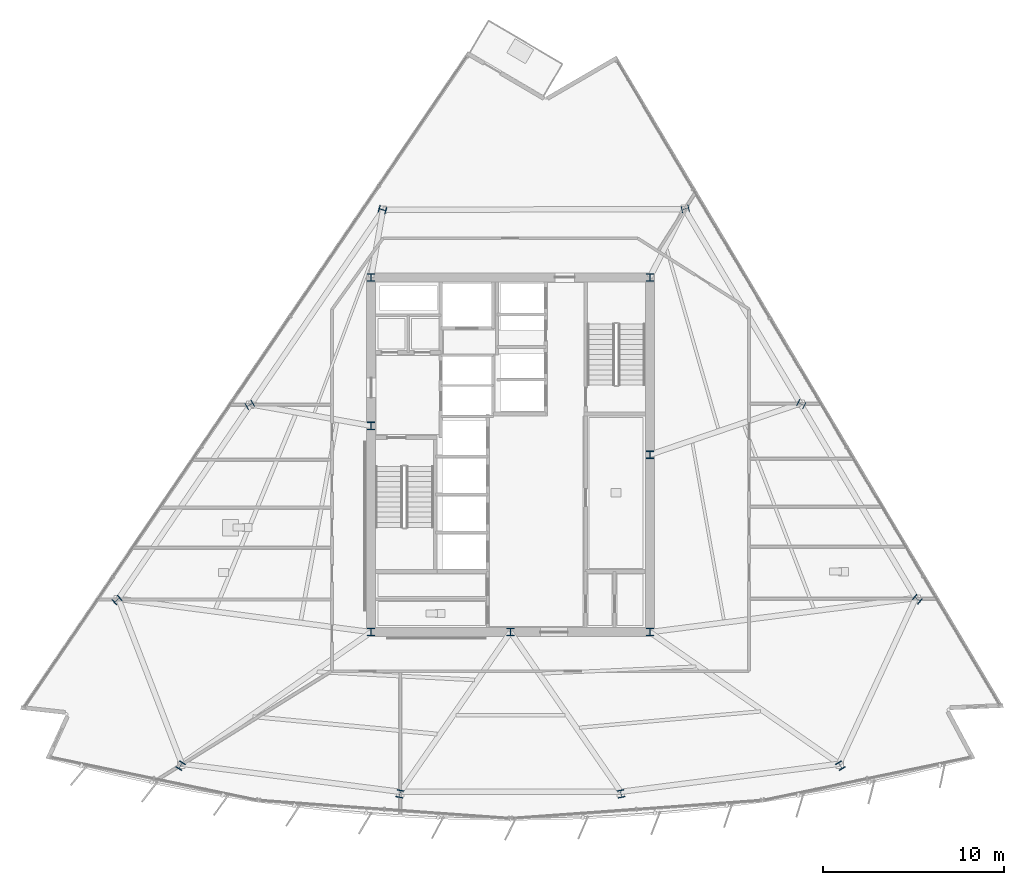
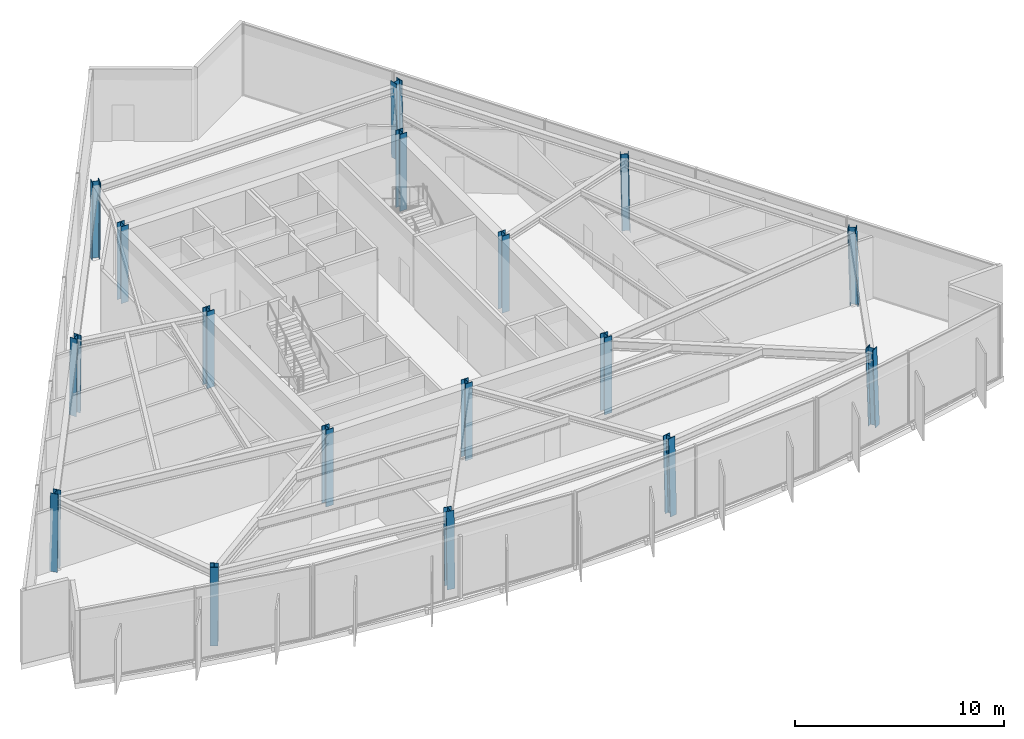
# One storey, part 1 of 14: 17 columns.
"""IFC4 building model written with IfcOpenShell, lengths in metres."""

from ifc_helpers import new_model, si_unit, direction, frame, origin, origin_2d, place, context, subcontext, project, spatial, i_section, extrude, material, material_profile, profile_set, type_object, element, save


model = new_model("IFC4")

# Units and contexts
model_context = context("Model", 3, precision=1e-05, world=origin(), true_north=direction((0.0, 1.0)))
body_context = subcontext(model_context, "Body", "Model", "MODEL_VIEW")
ifc_project = project(units=[si_unit("LENGTHUNIT", "METRE"), si_unit("AREAUNIT", "SQUARE_METRE"), si_unit("VOLUMEUNIT", "CUBIC_METRE"), si_unit("PLANEANGLEUNIT", "RADIAN"), si_unit("MASSUNIT", "GRAM", prefix="KILO")], contexts=[model_context])

# Site, building, storey
site_placement = place(None, origin())
site = spatial("IfcSite", under=ifc_project, at=site_placement, CompositionType="ELEMENT")
building_placement = place(site_placement, origin())
building = spatial("IfcBuilding", under=site, at=building_placement, Name="Savorim Split Tower", CompositionType="ELEMENT")
storey_placement = place(building_placement, frame((0.0, 0.0, 134.10009765625)))
storey = spatial("IfcBuildingStorey", under=building, at=storey_placement, Name="L35", CompositionType="ELEMENT", Elevation=134.10009765625)

# Columns
ifc_material = material(Name="Steel S460", Category="steel")
ifc_material_profile_1 = material_profile(ifc_material, i_section(OverallWidth=0.404052734375, OverallDepth=0.406982421875, WebThickness=0.017333984375, FlangeThickness=0.028076171875, FilletRadius=0.014892578125, at=origin_2d()), Name="HD 400x347")
ifc_profile_set_1 = profile_set([ifc_material_profile_1], Name="Steel S460")
column_type_1 = type_object("IfcColumnType", Name="COL-HD-347", PredefinedType="COLUMN", material=ifc_profile_set_1)
column_1_placement = place(storey_placement, frame((-18.23095703125, -16.792236328125, 0.00537109375), z_axis=(0.016470903178, 0.026744832884, 0.999506589904), x_axis=(-0.851480003019, 0.52438707503, 0.0)))
element("IfcColumn", 1, at=column_1_placement, inside=storey, type_object=column_type_1, Name="L35 Tapered Perimeter Column PC-S1", PredefinedType="COLUMN", context=body_context, shape_type="SweptSolid", body=[
    extrude(i_section(OverallWidth=0.404052734375, OverallDepth=0.406982421875, WebThickness=0.017333984375, FlangeThickness=0.028076171875, FilletRadius=0.014892578125, at=origin_2d()), origin(), (0.0, 0.0, 1.0), 4.4912109375),
])
for number, where, z_axis, x_axis, name in (
    (2, (-6.110107421875, -18.348388671875, 0.00537109375), (0.005545112284, 0.028160472186, 0.99958803491), (-0.981159154887, 0.193201223549, 0.0), "L35 Tapered Perimeter Column PC-S2"),
    (3, (6.110107421875, -18.348388671875, 0.00537109375), (-0.005545112284, 0.028160472186, 0.99958803491), (-0.981159154887, -0.193201223549, 0.0), "L35 Tapered Perimeter Column PC-S3"),
):
    element("IfcColumn", number, at=place(storey_placement, frame(where, z_axis=z_axis, x_axis=x_axis)), inside=storey, type_object=column_type_1, Name=name, PredefinedType="COLUMN", context=body_context, shape_type="SweptSolid", body=[
        extrude(i_section(OverallWidth=0.404052734375, OverallDepth=0.406982421875, WebThickness=0.017333984375, FlangeThickness=0.028076171875, FilletRadius=0.014892578125, at=origin_2d()), origin(), (0.0, 0.0, 1.0), 4.490966796875),
    ])
column_2_placement = place(storey_placement, frame((18.23095703125, -16.792236328125, 0.00537109375), z_axis=(-0.016470903178, 0.026744832884, 0.999506589904), x_axis=(-0.851480003019, -0.52438707503, 0.0)))
element("IfcColumn", 4, at=column_2_placement, inside=storey, type_object=column_type_1, Name="L35 Tapered Perimeter Column PC-S4", PredefinedType="COLUMN", context=body_context, shape_type="SweptSolid", body=[
    extrude(i_section(OverallWidth=0.404052734375, OverallDepth=0.406982421875, WebThickness=0.017333984375, FlangeThickness=0.028076171875, FilletRadius=0.014892578125, at=origin_2d()), origin(), (0.0, 0.0, 1.0), 4.4912109375),
])
column_3_placement = place(storey_placement, frame((22.488037109375, -7.588134765625, 0.00537109375), z_axis=(-0.020876646911, 0.017288473223, 0.999632569651), x_axis=(-0.637813971185, -0.770190455771, 0.0)))
element("IfcColumn", 5, at=column_3_placement, inside=storey, type_object=column_type_1, Name="L35 Tapered Perimeter Column PC-E1", PredefinedType="COLUMN", context=body_context, shape_type="SweptSolid", body=[
    extrude(i_section(OverallWidth=0.404052734375, OverallDepth=0.406982421875, WebThickness=0.017333984375, FlangeThickness=0.028076171875, FilletRadius=0.014892578125, at=origin_2d()), origin(), (0.0, 0.0, 1.0), 4.49072265625),
])
column_4_placement = place(storey_placement, frame((16.07421875, 3.198486328125, 0.00537109375), z_axis=(-0.015117211909, 0.007612984415, 0.999856745925), x_axis=(-0.449781931574, -0.893138406984, 0.0)))
element("IfcColumn", 6, at=column_4_placement, inside=storey, type_object=column_type_1, Name="L35 Tapered Perimeter Column PC-E2", PredefinedType="COLUMN", context=body_context, shape_type="SweptSolid", body=[
    extrude(i_section(OverallWidth=0.404052734375, OverallDepth=0.406982421875, WebThickness=0.017333984375, FlangeThickness=0.028076171875, FilletRadius=0.014892578125, at=origin_2d()), origin(), (0.0, 0.0, 1.0), 4.48974609375),
])
column_5_placement = place(storey_placement, frame((9.660400390625, 13.98486328125, 0.00537109375), z_axis=(-0.009408385968, -0.002012198155, 0.999953715595), x_axis=(0.209143047003, -0.977885057607, 0.0)))
element("IfcColumn", 7, at=column_5_placement, inside=storey, type_object=column_type_1, Name="L35 Tapered Perimeter Column PC-E3", PredefinedType="COLUMN", context=body_context, shape_type="SweptSolid", body=[
    extrude(i_section(OverallWidth=0.404052734375, OverallDepth=0.406982421875, WebThickness=0.017333984375, FlangeThickness=0.028076171875, FilletRadius=0.014892578125, at=origin_2d()), origin(), (0.0, 0.0, 1.0), 4.4892578125),
])
column_6_placement = place(storey_placement, frame((-7.073486328125, 13.93603515625, 0.00537109375), z_axis=(0.007070021631, -0.002012236926, 0.999972982483), x_axis=(0.273743828055, 0.961802639112, 0.0)))
element("IfcColumn", 8, at=column_6_placement, inside=storey, type_object=column_type_1, Name="L35 Tapered Perimeter Column PC-W1", PredefinedType="COLUMN", context=body_context, shape_type="SweptSolid", body=[
    extrude(i_section(OverallWidth=0.404052734375, OverallDepth=0.406982421875, WebThickness=0.017333984375, FlangeThickness=0.028076171875, FilletRadius=0.014892578125, at=origin_2d()), origin(), (0.0, 0.0, 1.0), 4.489013671875),
])
column_7_placement = place(storey_placement, frame((-14.411376953125, 3.149658203125, 0.00537109375), z_axis=(0.013649281728, 0.007613145187, 0.999877861105), x_axis=(-0.487119351792, 0.873335409284, 0.0)))
element("IfcColumn", 9, at=column_7_placement, inside=storey, type_object=column_type_1, Name="L35 Tapered Perimeter Column PC-W2", PredefinedType="COLUMN", context=body_context, shape_type="SweptSolid", body=[
    extrude(i_section(OverallWidth=0.404052734375, OverallDepth=0.406982421875, WebThickness=0.017333984375, FlangeThickness=0.028076171875, FilletRadius=0.014892578125, at=origin_2d()), origin(), (0.0, 0.0, 1.0), 4.489501953125),
])
column_8_placement = place(storey_placement, frame((-21.749267578125, -7.636962890625, 0.00537109375), z_axis=(0.020170177998, 0.017288723999, 0.999647069691), x_axis=(-0.650791373456, 0.759256602365, 0.0)))
element("IfcColumn", 10, at=column_8_placement, inside=storey, type_object=column_type_1, Name="L35 Tapered Perimeter Column PC-W3", PredefinedType="COLUMN", context=body_context, shape_type="SweptSolid", body=[
    extrude(i_section(OverallWidth=0.404052734375, OverallDepth=0.406982421875, WebThickness=0.017333984375, FlangeThickness=0.028076171875, FilletRadius=0.014892578125, at=origin_2d()), origin(), (0.0, 0.0, 1.0), 4.490478515625),
])
ifc_material_profile_2 = material_profile(ifc_material, i_section(OverallWidth=0.408935546875, OverallDepth=0.425048828125, WebThickness=0.020751953125, FlangeThickness=0.033935546875, FilletRadius=0.014892578125, at=origin_2d()), Name="HD 400x421")
ifc_profile_set_2 = profile_set([ifc_material_profile_2], Name="Steel S460")
column_type_2 = type_object("IfcColumnType", Name="COL-HD-421", PredefinedType="COLUMN", material=ifc_profile_set_2)
for number, where, z_axis, x_axis, name in (
    (11, (-7.699951171875, -9.39990234375, 0.0), (0.0, 0.0, 1.0), (1.0, 0.0, 0.0), "L35 Core Structural Column TC-C1"),
    (12, (7.699951171875, -9.39990234375, 0.0), (0.0, 0.0, 1.0), (1.0, 0.0, 0.0), "L35 Core Structural Column TC-C2"),
    (13, (7.699951171875, 10.199951171875, 0.0), (0.0, 0.0, 1.0), (1.0, 0.0, 0.0), "L35 Core Structural Column TC-C3"),
    (14, (-7.699951171875, 10.199951171875, 0.0), (0.0, 0.0, 1.0), (1.0, 0.0, 0.0), "L35 Core Structural Column TC-C4"),
    (15, (0.0, -9.39990234375, 0.0), (0.0, 0.0, 1.0), (1.0, 0.0, 0.0), "L35 Core Structural Column TC-C5"),
    (16, (7.699951171875, 0.39990234375, 0.0), (0.0, 0.0, 1.0), (1.0, 0.0, 0.0), "L35 Core Structural Column TC-C6"),
    (17, (-7.699951171875, 2.0, 0.0), (0.0, 0.0, 1.0), (1.0, 0.0, 0.0), "L35 Core Structural Column TC-C7"),
):
    element("IfcColumn", number, at=place(storey_placement, frame(where, z_axis=z_axis, x_axis=x_axis)), inside=storey, type_object=column_type_2, Name=name, PredefinedType="COLUMN", context=body_context, shape_type="SweptSolid", body=[
        extrude(i_section(OverallWidth=0.408935546875, OverallDepth=0.425048828125, WebThickness=0.020751953125, FlangeThickness=0.033935546875, FilletRadius=0.014892578125, at=origin_2d()), origin(), (0.0, 0.0, 1.0), 4.5),
    ])

save(model, "model.ifc")
